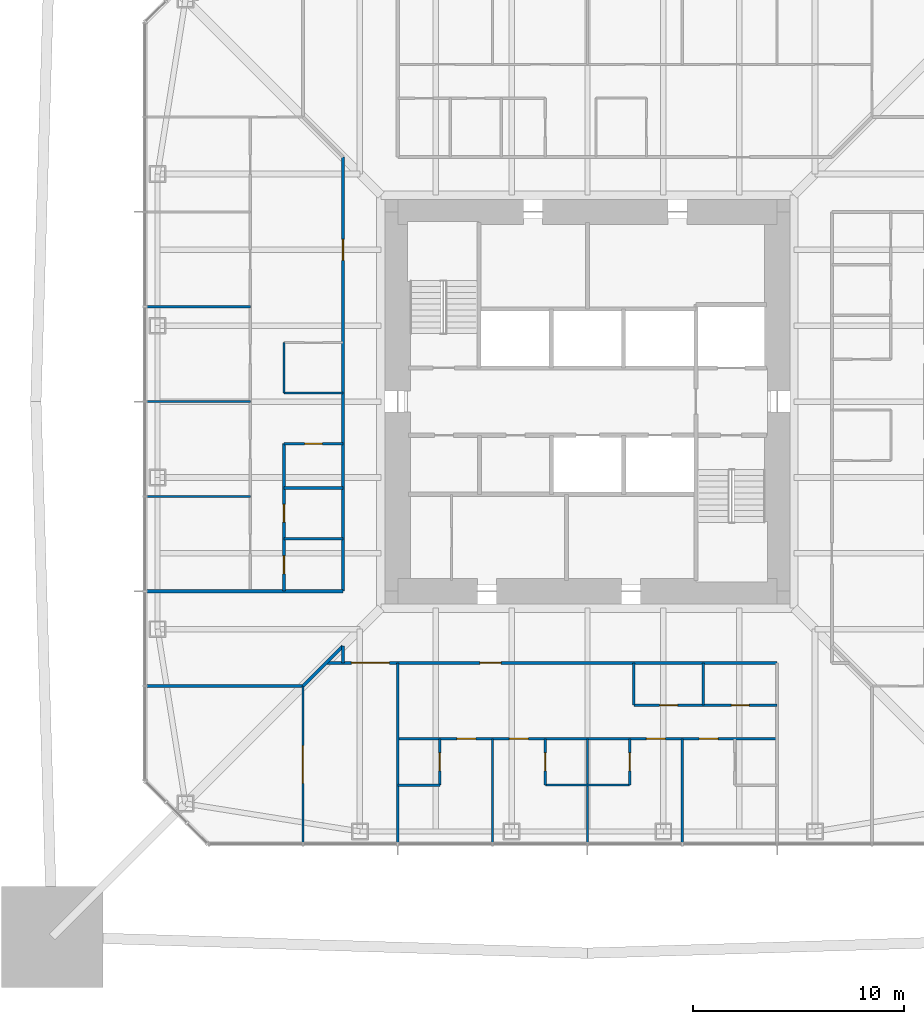
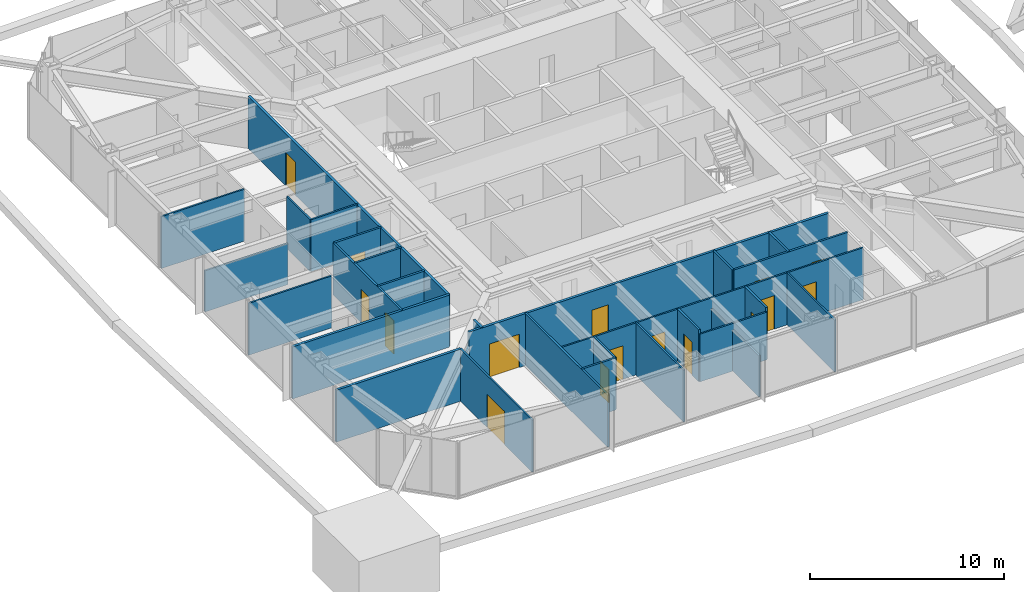
# One storey, part 15 of 27: 29 walls, 16 doors, 16 openings.
"""IFC4 building model written with IfcOpenShell, lengths in metres."""

from ifc_helpers import new_model, si_unit, direction, frame, frame_2d, origin, place, context, subcontext, project, spatial, rectangle, extrude, material, layer, layer_set, type_object, element, fill, save


model = new_model("IFC4")

# Units and contexts
model_context = context("Model", 3, precision=1e-05, world=origin(), true_north=direction((0.0, 1.0)))
body_context = subcontext(model_context, "Body", "Model", "MODEL_VIEW")
ifc_project = project(units=[si_unit("LENGTHUNIT", "METRE"), si_unit("AREAUNIT", "SQUARE_METRE"), si_unit("VOLUMEUNIT", "CUBIC_METRE"), si_unit("PLANEANGLEUNIT", "RADIAN"), si_unit("MASSUNIT", "GRAM", prefix="KILO")], contexts=[model_context])

# Site, building, storey
site_placement = place(None, origin())
site = spatial("IfcSite", under=ifc_project, at=site_placement, CompositionType="ELEMENT")
building_placement = place(site_placement, origin())
building = spatial("IfcBuilding", under=site, at=building_placement, Name="Iwan Alto Co-Living Towers", CompositionType="ELEMENT")
storey_placement = place(building_placement, frame((0.0, 0.0, 91.0)))
storey = spatial("IfcBuildingStorey", under=building, at=storey_placement, Name="L24", CompositionType="ELEMENT", Elevation=91.0)

# Wall
ifc_material_1 = material(Name="Gypsum board")
ifc_layer_1 = layer(ifc_material_1, 0.02490234375, Name="Board", Category="Finish")
ifc_material_2 = material(Name="Steel ASTM A1003 ST33H cold-formed studs", Category="steel")
ifc_layer_2 = layer(ifc_material_2, 0.10009765625, Name="Studs", Category="Framing")
ifc_layer_3 = layer(ifc_material_1, 0.02490234375, Name="Board", Category="Finish")
ifc_layer_set_1 = layer_set([ifc_layer_1, ifc_layer_2, ifc_layer_3], Name="CORRIDOR WALL 150")
wall_type_1 = type_object("IfcWallType", Name="CORRIDOR WALL 150", PredefinedType="PARTITIONING", material=ifc_layer_set_1)
wall_1_placement = place(storey_placement, frame((-20.93994140625, -13.5, 0.0), z_axis=(0.0, 0.0, 1.0), x_axis=(1.0, 0.0, 0.0)))
element("IfcWall", 1, at=wall_1_placement, inside=storey, type_object=wall_type_1, Name="Partition L24", PredefinedType="PARTITIONING", context=body_context, shape_type="SweptSolid", body=[
    extrude(rectangle(XDim=7.43994140625, YDim=0.14990234375, at=frame_2d((3.719970703125, 0.0))), origin(), (0.0, 0.0, 1.0), 3.27001953125),
])

# Wall, openings, doors
wall_2_placement = place(storey_placement, frame((-12.39990234375, -12.39990234375, 0.0), z_axis=(0.0, 0.0, 1.0), x_axis=(1.0, 0.0, 0.0)))
wall_2 = element("IfcWall", 2, at=wall_2_placement, inside=storey, type_object=wall_type_1, Name="Partition L24", PredefinedType="PARTITIONING", context=body_context, shape_type="SweptSolid", body=[
    extrude(rectangle(XDim=21.39990234375, YDim=0.14990234375, at=frame_2d((10.699951171875, 0.0))), origin(), (0.0, 0.0, 1.0), 3.27001953125),
])
opening_1_placement = place(wall_2_placement, frame((1.199951171875, 0.0, 0.0)))
opening_1 = element("IfcOpeningElement", 3, at=opening_1_placement, cuts=wall_2, Name="Opening D9", PredefinedType="OPENING", context=body_context, shape_type="SweptSolid", body=[
    extrude(rectangle(XDim=1.800048828125, YDim=2.10009765625, at=frame_2d((0.89990234375, 1.050048828125))), frame((0.0, 0.0849609375, 0.0), z_axis=(0.0, -1.0, 0.0), x_axis=(1.0, 0.0, 0.0)), (0.0, 0.0, 1.0), 0.169921875),
])
opening_2_placement = place(wall_2_placement, frame((7.300048828125, 0.0, 0.0)))
opening_2 = element("IfcOpeningElement", 4, at=opening_2_placement, cuts=wall_2, Name="Opening D3", PredefinedType="OPENING", context=body_context, shape_type="SweptSolid", body=[
    extrude(rectangle(XDim=1.0, YDim=2.10009765625, at=frame_2d((0.5, 1.050048828125))), frame((0.0, 0.0849609375, 0.0), z_axis=(0.0, -1.0, 0.0), x_axis=(1.0, 0.0, 0.0)), (0.0, 0.0, 1.0), 0.169921875),
])
ifc_material_3 = material(Name="Steel frame with timber leaf", Category="steel")
door_type_1 = type_object("IfcDoorType", Name="FLAT ENTRANCE DOOR FD30S 1000X2100", OperationType="SINGLE_SWING_LEFT", PredefinedType="DOOR", material=ifc_material_3)
door_1_placement = place(opening_2_placement, frame((1.0, 0.0, 0.0), z_axis=(0.0, 0.0, 1.0), x_axis=(-1.0, 0.0, 0.0)))
door_1 = element("IfcDoor", 5, at=door_1_placement, inside=storey, type_object=door_type_1, Name="Cluster lounge and shared kitchen door L24", OperationType="SINGLE_SWING_RIGHT", OverallHeight=2.10009765625, OverallWidth=1.0, PredefinedType="DOOR", context=body_context, shape_type="SweptSolid", body=[
    extrude(rectangle(XDim=1.0, YDim=2.10009765625, at=frame_2d((0.5, 1.050048828125))), frame((0.0, 0.02490234375, 0.0), z_axis=(0.0, -1.0, 0.0), x_axis=(1.0, 0.0, 0.0)), (0.0, 0.0, 1.0), 0.050048828125),
])
fill(opening_2, door_1)
ifc_material_4 = material(Name="Steel frame with timber leaf", Category="steel")
door_type_2 = type_object("IfcDoorType", Name="LOUNGE DOOR FD30S 1800X2100", OperationType="DOUBLE_DOOR_SINGLE_SWING", PredefinedType="DOOR", material=ifc_material_4)
door_2_placement = place(opening_1_placement, frame((1.800048828125, 0.0, 0.0), z_axis=(0.0, 0.0, 1.0), x_axis=(-1.0, 0.0, 0.0)))
door_2 = element("IfcDoor", 6, at=door_2_placement, inside=storey, type_object=door_type_2, Name="Study commons door L24", OperationType="DOUBLE_DOOR_SINGLE_SWING", OverallHeight=2.10009765625, OverallWidth=1.800048828125, PredefinedType="DOOR", context=body_context, shape_type="SweptSolid", body=[
    extrude(rectangle(XDim=1.800048828125, YDim=2.10009765625, at=frame_2d((0.89990234375, 1.050048828125))), frame((0.0, 0.02490234375, 0.0), z_axis=(0.0, -1.0, 0.0), x_axis=(1.0, 0.0, 0.0)), (0.0, 0.0, 1.0), 0.050048828125),
])
fill(opening_1, door_2)

# Walls
wall_3_placement = place(storey_placement, frame((-20.93994140625, -9.0, 0.0), z_axis=(0.0, 0.0, 1.0), x_axis=(1.0, 0.0, 0.0)))
element("IfcWall", 7, at=wall_3_placement, inside=storey, type_object=wall_type_1, Name="Partition L24", PredefinedType="PARTITIONING", context=body_context, shape_type="SweptSolid", body=[
    extrude(rectangle(XDim=9.33984375, YDim=0.14990234375, at=frame_2d((4.669921875, 0.0))), origin(), (0.0, 0.0, 1.0), 3.27001953125),
])
wall_4_placement = place(storey_placement, frame((-13.5, -13.5, 0.0), z_axis=(0.0, 0.0, 1.0), x_axis=(0.707106781187, 0.707106781187, 0.0)))
element("IfcWall", 8, at=wall_4_placement, inside=storey, type_object=wall_type_1, Name="Partition L24", PredefinedType="PARTITIONING", context=body_context, shape_type="SweptSolid", body=[
    extrude(rectangle(XDim=2.686767578125, YDim=0.14990234375, at=frame_2d((1.34326171875, 0.0))), origin(), (0.0, 0.0, 1.0), 2.343017578125),
])
wall_5_placement = place(storey_placement, frame((-11.60009765625, -12.39990234375, 0.0), z_axis=(0.0, 0.0, 1.0), x_axis=(0.0, 1.0, 0.0)))
element("IfcWall", 9, at=wall_5_placement, inside=storey, type_object=wall_type_1, Name="Partition L24", PredefinedType="PARTITIONING", context=body_context, shape_type="SweptSolid", body=[
    extrude(rectangle(XDim=0.7998046875, YDim=0.14990234375, at=frame_2d((0.39990234375, 0.0))), origin(), (0.0, 0.0, 1.0), 3.27001953125),
])

# Wall, opening, door
wall_6_placement = place(storey_placement, frame((-11.60009765625, -9.0, 0.0), z_axis=(0.0, 0.0, 1.0), x_axis=(0.0, 1.0, 0.0)))
wall_6 = element("IfcWall", 10, at=wall_6_placement, inside=storey, type_object=wall_type_1, Name="Partition L24", PredefinedType="PARTITIONING", context=body_context, shape_type="SweptSolid", body=[
    extrude(rectangle(XDim=20.60009765625, YDim=0.14990234375, at=frame_2d((10.300048828125, 0.0))), origin(), (0.0, 0.0, 1.0), 3.27001953125),
])
opening_3_placement = place(wall_6_placement, frame((15.699951171875, 0.0, 0.0)))
opening_3 = element("IfcOpeningElement", 11, at=opening_3_placement, cuts=wall_6, Name="Opening D3", PredefinedType="OPENING", context=body_context, shape_type="SweptSolid", body=[
    extrude(rectangle(XDim=1.0, YDim=2.10009765625, at=frame_2d((0.5, 1.050048828125))), frame((0.0, 0.0849609375, 0.0), z_axis=(0.0, -1.0, 0.0), x_axis=(1.0, 0.0, 0.0)), (0.0, 0.0, 1.0), 0.169921875),
])
door_3_placement = place(opening_3_placement, origin())
door_3 = element("IfcDoor", 12, at=door_3_placement, inside=storey, type_object=door_type_1, Name="Cluster lounge door L24", OperationType="SINGLE_SWING_LEFT", OverallHeight=2.10009765625, OverallWidth=1.0, PredefinedType="DOOR", context=body_context, shape_type="SweptSolid", body=[
    extrude(rectangle(XDim=1.0, YDim=2.10009765625, at=frame_2d((0.5, 1.050048828125))), frame((0.0, 0.02490234375, 0.0), z_axis=(0.0, -1.0, 0.0), x_axis=(1.0, 0.0, 0.0)), (0.0, 0.0, 1.0), 0.050048828125),
])
fill(opening_3, door_3)

# Wall
ifc_layer_4 = layer(ifc_material_1, 0.012451171875, Name="Board", Category="Finish")
ifc_layer_5 = layer(ifc_material_2, 0.074951171875, Name="Studs", Category="Framing")
ifc_layer_6 = layer(ifc_material_1, 0.012451171875, Name="Board", Category="Finish")
ifc_layer_set_2 = layer_set([ifc_layer_4, ifc_layer_5, ifc_layer_6], Name="PARTITION 100")
wall_type_2 = type_object("IfcWallType", Name="PARTITION 100", PredefinedType="PARTITIONING", material=ifc_layer_set_2)
wall_7_placement = place(storey_placement, frame((-2.0, -18.199951171875, 0.0), z_axis=(0.0, 0.0, 1.0), x_axis=(1.0, 0.0, 0.0)))
element("IfcWall", 13, at=wall_7_placement, inside=storey, type_object=wall_type_2, Name="Partition L24", PredefinedType="PARTITIONING", context=body_context, shape_type="SweptSolid", body=[
    extrude(rectangle(XDim=4.0, YDim=0.10009765625, at=frame_2d((2.0, 0.0))), origin(), (0.0, 0.0, 1.0), 3.0),
])

# Wall, openings, doors
wall_8_placement = place(storey_placement, frame((-9.0, -16.0, 0.0), z_axis=(0.0, 0.0, 1.0), x_axis=(1.0, 0.0, 0.0)))
wall_8 = element("IfcWall", 14, at=wall_8_placement, inside=storey, type_object=wall_type_2, Name="Partition L24", PredefinedType="PARTITIONING", context=body_context, shape_type="SweptSolid", body=[
    extrude(rectangle(XDim=18.0, YDim=0.10009765625, at=frame_2d((9.0, 0.0))), origin(), (0.0, 0.0, 1.0), 3.27001953125),
])
opening_4_placement = place(wall_8_placement, frame((2.800048828125, 0.0, 0.0)))
opening_4 = element("IfcOpeningElement", 15, at=opening_4_placement, cuts=wall_8, Name="Opening D1", PredefinedType="OPENING", context=body_context, shape_type="SweptSolid", body=[
    extrude(rectangle(XDim=0.89990234375, YDim=2.10009765625, at=frame_2d((0.449951171875, 1.050048828125))), frame((0.0, 0.06005859375, 0.0), z_axis=(0.0, -1.0, 0.0), x_axis=(1.0, 0.0, 0.0)), (0.0, 0.0, 1.0), 0.1201171875),
])
opening_5_placement = place(wall_8_placement, frame((5.300048828125, 0.0, 0.0)))
opening_5 = element("IfcOpeningElement", 16, at=opening_5_placement, cuts=wall_8, Name="Opening D1", PredefinedType="OPENING", context=body_context, shape_type="SweptSolid", body=[
    extrude(rectangle(XDim=0.89990234375, YDim=2.10009765625, at=frame_2d((0.449951171875, 1.050048828125))), frame((0.0, 0.06005859375, 0.0), z_axis=(0.0, -1.0, 0.0), x_axis=(1.0, 0.0, 0.0)), (0.0, 0.0, 1.0), 0.1201171875),
])
opening_6_placement = place(wall_8_placement, frame((11.800048828125, 0.0, 0.0)))
opening_6 = element("IfcOpeningElement", 17, at=opening_6_placement, cuts=wall_8, Name="Opening D1", PredefinedType="OPENING", context=body_context, shape_type="SweptSolid", body=[
    extrude(rectangle(XDim=0.89990234375, YDim=2.10009765625, at=frame_2d((0.449951171875, 1.050048828125))), frame((0.0, 0.06005859375, 0.0), z_axis=(0.0, -1.0, 0.0), x_axis=(1.0, 0.0, 0.0)), (0.0, 0.0, 1.0), 0.1201171875),
])
opening_7_placement = place(wall_8_placement, frame((14.300048828125, 0.0, 0.0)))
opening_7 = element("IfcOpeningElement", 18, at=opening_7_placement, cuts=wall_8, Name="Opening D1", PredefinedType="OPENING", context=body_context, shape_type="SweptSolid", body=[
    extrude(rectangle(XDim=0.89990234375, YDim=2.10009765625, at=frame_2d((0.449951171875, 1.050048828125))), frame((0.0, 0.06005859375, 0.0), z_axis=(0.0, -1.0, 0.0), x_axis=(1.0, 0.0, 0.0)), (0.0, 0.0, 1.0), 0.1201171875),
])
ifc_material_5 = material(Name="Timber leaf in steel frame", Category="steel")
door_type_3 = type_object("IfcDoorType", Name="BEDROOM DOOR 900X2100", OperationType="SINGLE_SWING_LEFT", PredefinedType="DOOR", material=ifc_material_5)
door_4_placement = place(opening_4_placement, origin())
door_4 = element("IfcDoor", 19, at=door_4_placement, inside=storey, type_object=door_type_3, Name="Study bedroom door L24", OperationType="SINGLE_SWING_LEFT", OverallHeight=2.10009765625, OverallWidth=0.89990234375, PredefinedType="DOOR", context=body_context, shape_type="SweptSolid", body=[
    extrude(rectangle(XDim=0.89990234375, YDim=2.10009765625, at=frame_2d((0.449951171875, 1.050048828125))), frame((0.0, 0.02490234375, 0.0), z_axis=(0.0, -1.0, 0.0), x_axis=(1.0, 0.0, 0.0)), (0.0, 0.0, 1.0), 0.050048828125),
])
fill(opening_4, door_4)
door_5_placement = place(opening_5_placement, origin())
door_5 = element("IfcDoor", 20, at=door_5_placement, inside=storey, type_object=door_type_3, Name="Study bedroom door L24", OperationType="SINGLE_SWING_LEFT", OverallHeight=2.10009765625, OverallWidth=0.89990234375, PredefinedType="DOOR", context=body_context, shape_type="SweptSolid", body=[
    extrude(rectangle(XDim=0.89990234375, YDim=2.10009765625, at=frame_2d((0.449951171875, 1.050048828125))), frame((0.0, 0.02490234375, 0.0), z_axis=(0.0, -1.0, 0.0), x_axis=(1.0, 0.0, 0.0)), (0.0, 0.0, 1.0), 0.050048828125),
])
fill(opening_5, door_5)
door_6_placement = place(opening_6_placement, origin())
door_6 = element("IfcDoor", 21, at=door_6_placement, inside=storey, type_object=door_type_3, Name="Study bedroom door L24", OperationType="SINGLE_SWING_RIGHT", OverallHeight=2.10009765625, OverallWidth=0.89990234375, PredefinedType="DOOR", context=body_context, shape_type="SweptSolid", body=[
    extrude(rectangle(XDim=0.89990234375, YDim=2.10009765625, at=frame_2d((0.449951171875, 1.050048828125))), frame((0.0, 0.02490234375, 0.0), z_axis=(0.0, -1.0, 0.0), x_axis=(1.0, 0.0, 0.0)), (0.0, 0.0, 1.0), 0.050048828125),
])
fill(opening_6, door_6)
door_7_placement = place(opening_7_placement, origin())
door_7 = element("IfcDoor", 22, at=door_7_placement, inside=storey, type_object=door_type_3, Name="Study bedroom door L24", OperationType="SINGLE_SWING_RIGHT", OverallHeight=2.10009765625, OverallWidth=0.89990234375, PredefinedType="DOOR", context=body_context, shape_type="SweptSolid", body=[
    extrude(rectangle(XDim=0.89990234375, YDim=2.10009765625, at=frame_2d((0.449951171875, 1.050048828125))), frame((0.0, 0.02490234375, 0.0), z_axis=(0.0, -1.0, 0.0), x_axis=(1.0, 0.0, 0.0)), (0.0, 0.0, 1.0), 0.050048828125),
])
fill(opening_7, door_7)

# Walls
wall_9_placement = place(storey_placement, frame((-20.93994140625, -4.5, 0.0), z_axis=(0.0, 0.0, 1.0), x_axis=(1.0, 0.0, 0.0)))
element("IfcWall", 23, at=wall_9_placement, inside=storey, type_object=wall_type_2, Name="Partition L24", PredefinedType="PARTITIONING", context=body_context, shape_type="SweptSolid", body=[
    extrude(rectangle(XDim=4.93994140625, YDim=0.10009765625, at=frame_2d((2.469970703125, 0.0))), origin(), (0.0, 0.0, 1.0), 3.27001953125),
])
wall_10_placement = place(storey_placement, frame((-20.93994140625, 0.0, 0.0), z_axis=(0.0, 0.0, 1.0), x_axis=(1.0, 0.0, 0.0)))
element("IfcWall", 24, at=wall_10_placement, inside=storey, type_object=wall_type_2, Name="Partition L24", PredefinedType="PARTITIONING", context=body_context, shape_type="SweptSolid", body=[
    extrude(rectangle(XDim=4.93994140625, YDim=0.10009765625, at=frame_2d((2.469970703125, 0.0))), origin(), (0.0, 0.0, 1.0), 2.586669921875),
])
wall_11_placement = place(storey_placement, frame((-14.39990234375, 0.39990234375, 0.0), z_axis=(0.0, 0.0, 1.0), x_axis=(1.0, 0.0, 0.0)))
element("IfcWall", 25, at=wall_11_placement, inside=storey, type_object=wall_type_2, Name="Partition L24", PredefinedType="PARTITIONING", context=body_context, shape_type="SweptSolid", body=[
    extrude(rectangle(XDim=2.7998046875, YDim=0.10009765625, at=frame_2d((1.39990234375, 0.0))), origin(), (0.0, 0.0, 1.0), 3.27001953125),
])
for number, where, z_axis, x_axis, name in (
    (26, (-20.93994140625, 4.5, 0.0), (0.0, 0.0, 1.0), (1.0, 0.0, 0.0), "Partition L24"),
    (27, (4.5, -20.93994140625, 0.0), (0.0, 0.0, 1.0), (0.0, 1.0, 0.0), "Partition L24"),
):
    element("IfcWall", number, at=place(storey_placement, frame(where, z_axis=z_axis, x_axis=x_axis)), inside=storey, type_object=wall_type_2, Name=name, PredefinedType="PARTITIONING", context=body_context, shape_type="SweptSolid", body=[
        extrude(rectangle(XDim=4.93994140625, YDim=0.10009765625, at=frame_2d((2.469970703125, 0.0))), origin(), (0.0, 0.0, 1.0), 3.27001953125),
    ])
wall_12_placement = place(storey_placement, frame((0.0, -20.93994140625, 0.0), z_axis=(0.0, 0.0, 1.0), x_axis=(0.0, 1.0, 0.0)))
element("IfcWall", 28, at=wall_12_placement, inside=storey, type_object=wall_type_2, Name="Partition L24", PredefinedType="PARTITIONING", context=body_context, shape_type="SweptSolid", body=[
    extrude(rectangle(XDim=4.93994140625, YDim=0.10009765625, at=frame_2d((2.469970703125, 0.0))), origin(), (0.0, 0.0, 1.0), 2.586669921875),
])
wall_13_placement = place(storey_placement, frame((-4.5, -20.93994140625, 0.0), z_axis=(0.0, 0.0, 1.0), x_axis=(0.0, 1.0, 0.0)))
element("IfcWall", 29, at=wall_13_placement, inside=storey, type_object=wall_type_2, Name="Partition L24", PredefinedType="PARTITIONING", context=body_context, shape_type="SweptSolid", body=[
    extrude(rectangle(XDim=4.93994140625, YDim=0.10009765625, at=frame_2d((2.469970703125, 0.0))), origin(), (0.0, 0.0, 1.0), 3.27001953125),
])

# Wall, opening, door
wall_14_placement = place(storey_placement, frame((-13.5, -20.93994140625, 0.0), z_axis=(0.0, 0.0, 1.0), x_axis=(0.0, 1.0, 0.0)))
wall_14 = element("IfcWall", 30, at=wall_14_placement, inside=storey, type_object=wall_type_2, Name="Partition L24", PredefinedType="PARTITIONING", context=body_context, shape_type="SweptSolid", body=[
    extrude(rectangle(XDim=7.43994140625, YDim=0.10009765625, at=frame_2d((3.719970703125, 0.0))), origin(), (0.0, 0.0, 1.0), 3.27001953125),
])
opening_8_placement = place(wall_14_placement, frame((2.820068359375, 0.0, 0.0)))
opening_8 = element("IfcOpeningElement", 31, at=opening_8_placement, cuts=wall_14, Name="Opening D14", PredefinedType="OPENING", context=body_context, shape_type="SweptSolid", body=[
    extrude(rectangle(XDim=1.800048828125, YDim=2.10009765625, at=frame_2d((0.89990234375, 1.050048828125))), frame((0.0, 0.06005859375, 0.0), z_axis=(0.0, -1.0, 0.0), x_axis=(1.0, 0.0, 0.0)), (0.0, 0.0, 1.0), 0.1201171875),
])
ifc_material_6 = material(Name="Timber leaf in steel frame", Category="steel")
door_type_4 = type_object("IfcDoorType", Name="LOUNGE DOOR 1800X2100", OperationType="DOUBLE_DOOR_SINGLE_SWING", PredefinedType="DOOR", material=ifc_material_6)
door_8_placement = place(opening_8_placement, origin())
door_8 = element("IfcDoor", 32, at=door_8_placement, inside=storey, type_object=door_type_4, Name="Courtyard lounge door L24", OperationType="DOUBLE_DOOR_SINGLE_SWING", OverallHeight=2.10009765625, OverallWidth=1.800048828125, PredefinedType="DOOR", context=body_context, shape_type="SweptSolid", body=[
    extrude(rectangle(XDim=1.800048828125, YDim=2.10009765625, at=frame_2d((0.89990234375, 1.050048828125))), frame((0.0, 0.02490234375, 0.0), z_axis=(0.0, -1.0, 0.0), x_axis=(1.0, 0.0, 0.0)), (0.0, 0.0, 1.0), 0.050048828125),
])
fill(opening_8, door_8)

# Walls
wall_15_placement = place(storey_placement, frame((-14.39990234375, 0.39990234375, 0.0), z_axis=(0.0, 0.0, 1.0), x_axis=(0.0, 1.0, 0.0)))
element("IfcWall", 33, at=wall_15_placement, inside=storey, type_object=wall_type_2, Name="Partition L24", PredefinedType="PARTITIONING", context=body_context, shape_type="SweptSolid", body=[
    extrude(rectangle(XDim=2.400146484375, YDim=0.10009765625, at=frame_2d((1.2001953125, 0.0))), origin(), (0.0, 0.0, 1.0), 3.27001953125),
])
ifc_material_7 = material(Name="Cement board")
ifc_layer_7 = layer(ifc_material_7, 0.012451171875, Name="Board", Category="Finish")
ifc_layer_8 = layer(ifc_material_2, 0.094970703125, Name="Studs", Category="Framing")
ifc_layer_9 = layer(ifc_material_7, 0.012451171875, Name="Board", Category="Finish")
ifc_layer_set_3 = layer_set([ifc_layer_7, ifc_layer_8, ifc_layer_9], Name="WET AREA PARTITION 120")
wall_type_3 = type_object("IfcWallType", Name="WET AREA PARTITION 120", PredefinedType="PARTITIONING", material=ifc_layer_set_3)
wall_16_placement = place(storey_placement, frame((-9.0, -18.199951171875, 0.0), z_axis=(0.0, 0.0, 1.0), x_axis=(1.0, 0.0, 0.0)))
element("IfcWall", 34, at=wall_16_placement, inside=storey, type_object=wall_type_3, Name="Partition L24", PredefinedType="PARTITIONING", context=body_context, shape_type="SweptSolid", body=[
    extrude(rectangle(XDim=2.0, YDim=0.1201171875, at=frame_2d((1.0, 0.0))), origin(), (0.0, 0.0, 1.0), 3.27001953125),
])

# Wall, openings, doors
wall_17_placement = place(storey_placement, frame((2.199951171875, -14.39990234375, 0.0), z_axis=(0.0, 0.0, 1.0), x_axis=(1.0, 0.0, 0.0)))
wall_17 = element("IfcWall", 35, at=wall_17_placement, inside=storey, type_object=wall_type_3, Name="Partition L24", PredefinedType="PARTITIONING", context=body_context, shape_type="SweptSolid", body=[
    extrude(rectangle(XDim=6.800048828125, YDim=0.1201171875, at=frame_2d((3.39990234375, 0.0))), origin(), (0.0, 0.0, 1.0), 3.27001953125),
])
opening_9_placement = place(wall_17_placement, frame((1.22509765625, 0.0, 0.0)))
opening_9 = element("IfcOpeningElement", 36, at=opening_9_placement, cuts=wall_17, Name="Opening D2", PredefinedType="OPENING", context=body_context, shape_type="SweptSolid", body=[
    extrude(rectangle(XDim=0.85009765625, YDim=2.10009765625, at=frame_2d((0.425048828125, 1.050048828125))), frame((0.0, 0.070068359375, 0.0), z_axis=(0.0, -1.0, 0.0), x_axis=(1.0, 0.0, 0.0)), (0.0, 0.0, 1.0), 0.14013671875),
])
opening_10_placement = place(wall_17_placement, frame((4.625, 0.0, 0.0)))
opening_10 = element("IfcOpeningElement", 37, at=opening_10_placement, cuts=wall_17, Name="Opening D2", PredefinedType="OPENING", context=body_context, shape_type="SweptSolid", body=[
    extrude(rectangle(XDim=0.85009765625, YDim=2.10009765625, at=frame_2d((0.425048828125, 1.050048828125))), frame((0.0, 0.070068359375, 0.0), z_axis=(0.0, -1.0, 0.0), x_axis=(1.0, 0.0, 0.0)), (0.0, 0.0, 1.0), 0.14013671875),
])
ifc_material_8 = material(Name="Timber leaf in steel frame", Category="steel")
door_type_5 = type_object("IfcDoorType", Name="ROOM DOOR 850X2100", OperationType="SINGLE_SWING_LEFT", PredefinedType="DOOR", material=ifc_material_8)
door_9_placement = place(opening_9_placement, frame((0.85009765625, 0.0, 0.0), z_axis=(0.0, 0.0, 1.0), x_axis=(-1.0, 0.0, 0.0)))
door_9 = element("IfcDoor", 38, at=door_9_placement, inside=storey, type_object=door_type_5, Name="Accessible bathroom door L24", OperationType="SINGLE_SWING_LEFT", OverallHeight=2.10009765625, OverallWidth=0.85009765625, PredefinedType="DOOR", context=body_context, shape_type="SweptSolid", body=[
    extrude(rectangle(XDim=0.85009765625, YDim=2.10009765625, at=frame_2d((0.425048828125, 1.050048828125))), frame((0.0, 0.02490234375, 0.0), z_axis=(0.0, -1.0, 0.0), x_axis=(1.0, 0.0, 0.0)), (0.0, 0.0, 1.0), 0.050048828125),
])
fill(opening_9, door_9)
door_10_placement = place(opening_10_placement, frame((0.85009765625, 0.0, 0.0), z_axis=(0.0, 0.0, 1.0), x_axis=(-1.0, 0.0, 0.0)))
door_10 = element("IfcDoor", 39, at=door_10_placement, inside=storey, type_object=door_type_5, Name="Laundry door L24", OperationType="SINGLE_SWING_LEFT", OverallHeight=2.10009765625, OverallWidth=0.85009765625, PredefinedType="DOOR", context=body_context, shape_type="SweptSolid", body=[
    extrude(rectangle(XDim=0.85009765625, YDim=2.10009765625, at=frame_2d((0.425048828125, 1.050048828125))), frame((0.0, 0.02490234375, 0.0), z_axis=(0.0, -1.0, 0.0), x_axis=(1.0, 0.0, 0.0)), (0.0, 0.0, 1.0), 0.050048828125),
])
fill(opening_10, door_10)

# Walls
for number, where, z_axis, x_axis, name in (
    (40, (-14.39990234375, -6.5, 0.0), (0.0, 0.0, 1.0), (1.0, 0.0, 0.0), "Partition L24"),
    (41, (-14.39990234375, -4.10009765625, 0.0), (0.0, 0.0, 1.0), (1.0, 0.0, 0.0), "Partition L24"),
):
    element("IfcWall", number, at=place(storey_placement, frame(where, z_axis=z_axis, x_axis=x_axis)), inside=storey, type_object=wall_type_3, Name=name, PredefinedType="PARTITIONING", context=body_context, shape_type="SweptSolid", body=[
        extrude(rectangle(XDim=2.7998046875, YDim=0.1201171875, at=frame_2d((1.39990234375, 0.0))), origin(), (0.0, 0.0, 1.0), 3.27001953125),
    ])

# Wall, opening, door
wall_18_placement = place(storey_placement, frame((-14.39990234375, -2.0, 0.0), z_axis=(0.0, 0.0, 1.0), x_axis=(1.0, 0.0, 0.0)))
wall_18 = element("IfcWall", 42, at=wall_18_placement, inside=storey, type_object=wall_type_3, Name="Partition L24", PredefinedType="PARTITIONING", context=body_context, shape_type="SweptSolid", body=[
    extrude(rectangle(XDim=2.7998046875, YDim=0.1201171875, at=frame_2d((1.39990234375, 0.0))), origin(), (0.0, 0.0, 1.0), 3.27001953125),
])
opening_11_placement = place(wall_18_placement, frame((0.97509765625, 0.0, 0.0)))
opening_11 = element("IfcOpeningElement", 43, at=opening_11_placement, cuts=wall_18, Name="Opening D2", PredefinedType="OPENING", context=body_context, shape_type="SweptSolid", body=[
    extrude(rectangle(XDim=0.85009765625, YDim=2.10009765625, at=frame_2d((0.425048828125, 1.050048828125))), frame((0.0, 0.070068359375, 0.0), z_axis=(0.0, -1.0, 0.0), x_axis=(1.0, 0.0, 0.0)), (0.0, 0.0, 1.0), 0.14013671875),
])
door_11_placement = place(opening_11_placement, origin())
door_11 = element("IfcDoor", 44, at=door_11_placement, inside=storey, type_object=door_type_5, Name="Bathroom door L24", OperationType="SINGLE_SWING_RIGHT", OverallHeight=2.10009765625, OverallWidth=0.85009765625, PredefinedType="DOOR", context=body_context, shape_type="SweptSolid", body=[
    extrude(rectangle(XDim=0.85009765625, YDim=2.10009765625, at=frame_2d((0.425048828125, 1.050048828125))), frame((0.0, 0.02490234375, 0.0), z_axis=(0.0, -1.0, 0.0), x_axis=(1.0, 0.0, 0.0)), (0.0, 0.0, 1.0), 0.050048828125),
])
fill(opening_11, door_11)

# Walls
for number, where, z_axis, x_axis, name in (
    (45, (5.5, -14.39990234375, 0.0), (0.0, 0.0, 1.0), (0.0, 1.0, 0.0), "Partition L24"),
    (46, (2.199951171875, -14.39990234375, 0.0), (0.0, 0.0, 1.0), (0.0, 1.0, 0.0), "Partition L24"),
):
    element("IfcWall", number, at=place(storey_placement, frame(where, z_axis=z_axis, x_axis=x_axis)), inside=storey, type_object=wall_type_3, Name=name, PredefinedType="PARTITIONING", context=body_context, shape_type="SweptSolid", body=[
        extrude(rectangle(XDim=2.0, YDim=0.1201171875, at=frame_2d((1.0, 0.0))), origin(), (0.0, 0.0, 1.0), 3.27001953125),
    ])

# Wall, opening, door
wall_19_placement = place(storey_placement, frame((2.0, -18.199951171875, 0.0), z_axis=(0.0, 0.0, 1.0), x_axis=(0.0, 1.0, 0.0)))
wall_19 = element("IfcWall", 47, at=wall_19_placement, inside=storey, type_object=wall_type_3, Name="Partition L24", PredefinedType="PARTITIONING", context=body_context, shape_type="SweptSolid", body=[
    extrude(rectangle(XDim=2.199951171875, YDim=0.1201171875, at=frame_2d((1.10009765625, 0.0))), origin(), (0.0, 0.0, 1.0), 3.27001953125),
])
opening_12_placement = place(wall_19_placement, frame((0.675048828125, 0.0, 0.0)))
opening_12 = element("IfcOpeningElement", 48, at=opening_12_placement, cuts=wall_19, Name="Opening D2", PredefinedType="OPENING", context=body_context, shape_type="SweptSolid", body=[
    extrude(rectangle(XDim=0.85009765625, YDim=2.10009765625, at=frame_2d((0.425048828125, 1.050048828125))), frame((0.0, 0.070068359375, 0.0), z_axis=(0.0, -1.0, 0.0), x_axis=(1.0, 0.0, 0.0)), (0.0, 0.0, 1.0), 0.14013671875),
])
door_12_placement = place(opening_12_placement, frame((0.85009765625, 0.0, 0.0), z_axis=(0.0, 0.0, 1.0), x_axis=(-1.0, 0.0, 0.0)))
door_12 = element("IfcDoor", 49, at=door_12_placement, inside=storey, type_object=door_type_5, Name="En-suite shower room door L24", OperationType="SINGLE_SWING_LEFT", OverallHeight=2.10009765625, OverallWidth=0.85009765625, PredefinedType="DOOR", context=body_context, shape_type="SweptSolid", body=[
    extrude(rectangle(XDim=0.85009765625, YDim=2.10009765625, at=frame_2d((0.425048828125, 1.050048828125))), frame((0.0, 0.02490234375, 0.0), z_axis=(0.0, -1.0, 0.0), x_axis=(1.0, 0.0, 0.0)), (0.0, 0.0, 1.0), 0.050048828125),
])
fill(opening_12, door_12)

wall_20_placement = place(storey_placement, frame((-2.0, -18.199951171875, 0.0), z_axis=(0.0, 0.0, 1.0), x_axis=(0.0, 1.0, 0.0)))
wall_20 = element("IfcWall", 50, at=wall_20_placement, inside=storey, type_object=wall_type_3, Name="Partition L24", PredefinedType="PARTITIONING", context=body_context, shape_type="SweptSolid", body=[
    extrude(rectangle(XDim=2.199951171875, YDim=0.1201171875, at=frame_2d((1.10009765625, 0.0))), origin(), (0.0, 0.0, 1.0), 3.27001953125),
])
opening_13_placement = place(wall_20_placement, frame((0.675048828125, 0.0, 0.0)))
opening_13 = element("IfcOpeningElement", 51, at=opening_13_placement, cuts=wall_20, Name="Opening D2", PredefinedType="OPENING", context=body_context, shape_type="SweptSolid", body=[
    extrude(rectangle(XDim=0.85009765625, YDim=2.10009765625, at=frame_2d((0.425048828125, 1.050048828125))), frame((0.0, 0.070068359375, 0.0), z_axis=(0.0, -1.0, 0.0), x_axis=(1.0, 0.0, 0.0)), (0.0, 0.0, 1.0), 0.14013671875),
])
door_13_placement = place(opening_13_placement, origin())
door_13 = element("IfcDoor", 52, at=door_13_placement, inside=storey, type_object=door_type_5, Name="En-suite shower room door L24", OperationType="SINGLE_SWING_RIGHT", OverallHeight=2.10009765625, OverallWidth=0.85009765625, PredefinedType="DOOR", context=body_context, shape_type="SweptSolid", body=[
    extrude(rectangle(XDim=0.85009765625, YDim=2.10009765625, at=frame_2d((0.425048828125, 1.050048828125))), frame((0.0, 0.02490234375, 0.0), z_axis=(0.0, -1.0, 0.0), x_axis=(1.0, 0.0, 0.0)), (0.0, 0.0, 1.0), 0.050048828125),
])
fill(opening_13, door_13)

wall_21_placement = place(storey_placement, frame((-7.0, -18.199951171875, 0.0), z_axis=(0.0, 0.0, 1.0), x_axis=(0.0, 1.0, 0.0)))
wall_21 = element("IfcWall", 53, at=wall_21_placement, inside=storey, type_object=wall_type_3, Name="Partition L24", PredefinedType="PARTITIONING", context=body_context, shape_type="SweptSolid", body=[
    extrude(rectangle(XDim=2.199951171875, YDim=0.1201171875, at=frame_2d((1.10009765625, 0.0))), origin(), (0.0, 0.0, 1.0), 3.27001953125),
])
opening_14_placement = place(wall_21_placement, frame((0.675048828125, 0.0, 0.0)))
opening_14 = element("IfcOpeningElement", 54, at=opening_14_placement, cuts=wall_21, Name="Opening D2", PredefinedType="OPENING", context=body_context, shape_type="SweptSolid", body=[
    extrude(rectangle(XDim=0.85009765625, YDim=2.10009765625, at=frame_2d((0.425048828125, 1.050048828125))), frame((0.0, 0.070068359375, 0.0), z_axis=(0.0, -1.0, 0.0), x_axis=(1.0, 0.0, 0.0)), (0.0, 0.0, 1.0), 0.14013671875),
])
door_14_placement = place(opening_14_placement, frame((0.85009765625, 0.0, 0.0), z_axis=(0.0, 0.0, 1.0), x_axis=(-1.0, 0.0, 0.0)))
door_14 = element("IfcDoor", 55, at=door_14_placement, inside=storey, type_object=door_type_5, Name="En-suite shower room door L24", OperationType="SINGLE_SWING_LEFT", OverallHeight=2.10009765625, OverallWidth=0.85009765625, PredefinedType="DOOR", context=body_context, shape_type="SweptSolid", body=[
    extrude(rectangle(XDim=0.85009765625, YDim=2.10009765625, at=frame_2d((0.425048828125, 1.050048828125))), frame((0.0, 0.02490234375, 0.0), z_axis=(0.0, -1.0, 0.0), x_axis=(1.0, 0.0, 0.0)), (0.0, 0.0, 1.0), 0.050048828125),
])
fill(opening_14, door_14)

# Wall
wall_22_placement = place(storey_placement, frame((-9.0, -20.93994140625, 0.0), z_axis=(0.0, 0.0, 1.0), x_axis=(0.0, 1.0, 0.0)))
element("IfcWall", 56, at=wall_22_placement, inside=storey, type_object=wall_type_3, Name="Partition L24", PredefinedType="PARTITIONING", context=body_context, shape_type="SweptSolid", body=[
    extrude(rectangle(XDim=8.5400390625, YDim=0.1201171875, at=frame_2d((4.27001953125, 0.0))), origin(), (0.0, 0.0, 1.0), 3.27001953125),
])

# Wall, openings, doors
wall_23_placement = place(storey_placement, frame((-14.39990234375, -9.0, 0.0), z_axis=(0.0, 0.0, 1.0), x_axis=(0.0, 1.0, 0.0)))
wall_23 = element("IfcWall", 57, at=wall_23_placement, inside=storey, type_object=wall_type_3, Name="Partition L24", PredefinedType="PARTITIONING", context=body_context, shape_type="SweptSolid", body=[
    extrude(rectangle(XDim=7.0, YDim=0.1201171875, at=frame_2d((3.5, 0.0))), origin(), (0.0, 0.0, 1.0), 3.27001953125),
])
opening_15_placement = place(wall_23_placement, frame((3.27490234375, 0.0, 0.0)))
opening_15 = element("IfcOpeningElement", 58, at=opening_15_placement, cuts=wall_23, Name="Opening D2", PredefinedType="OPENING", context=body_context, shape_type="SweptSolid", body=[
    extrude(rectangle(XDim=0.85009765625, YDim=2.10009765625, at=frame_2d((0.425048828125, 1.050048828125))), frame((0.0, 0.070068359375, 0.0), z_axis=(0.0, -1.0, 0.0), x_axis=(1.0, 0.0, 0.0)), (0.0, 0.0, 1.0), 0.14013671875),
])
opening_16_placement = place(wall_23_placement, frame((0.824951171875, 0.0, 0.0)))
opening_16 = element("IfcOpeningElement", 59, at=opening_16_placement, cuts=wall_23, Name="Opening D2", PredefinedType="OPENING", context=body_context, shape_type="SweptSolid", body=[
    extrude(rectangle(XDim=0.85009765625, YDim=2.10009765625, at=frame_2d((0.425048828125, 1.050048828125))), frame((0.0, 0.070068359375, 0.0), z_axis=(0.0, -1.0, 0.0), x_axis=(1.0, 0.0, 0.0)), (0.0, 0.0, 1.0), 0.14013671875),
])
door_15_placement = place(opening_15_placement, origin())
door_15 = element("IfcDoor", 60, at=door_15_placement, inside=storey, type_object=door_type_5, Name="Accessible bathroom door L24", OperationType="SINGLE_SWING_LEFT", OverallHeight=2.10009765625, OverallWidth=0.85009765625, PredefinedType="DOOR", context=body_context, shape_type="SweptSolid", body=[
    extrude(rectangle(XDim=0.85009765625, YDim=2.10009765625, at=frame_2d((0.425048828125, 1.050048828125))), frame((0.0, 0.02490234375, 0.0), z_axis=(0.0, -1.0, 0.0), x_axis=(1.0, 0.0, 0.0)), (0.0, 0.0, 1.0), 0.050048828125),
])
fill(opening_15, door_15)
door_16_placement = place(opening_16_placement, origin())
door_16 = element("IfcDoor", 61, at=door_16_placement, inside=storey, type_object=door_type_5, Name="Laundry door L24", OperationType="SINGLE_SWING_LEFT", OverallHeight=2.10009765625, OverallWidth=0.85009765625, PredefinedType="DOOR", context=body_context, shape_type="SweptSolid", body=[
    extrude(rectangle(XDim=0.85009765625, YDim=2.10009765625, at=frame_2d((0.425048828125, 1.050048828125))), frame((0.0, 0.02490234375, 0.0), z_axis=(0.0, -1.0, 0.0), x_axis=(1.0, 0.0, 0.0)), (0.0, 0.0, 1.0), 0.050048828125),
])
fill(opening_16, door_16)

save(model, "model.ifc")
